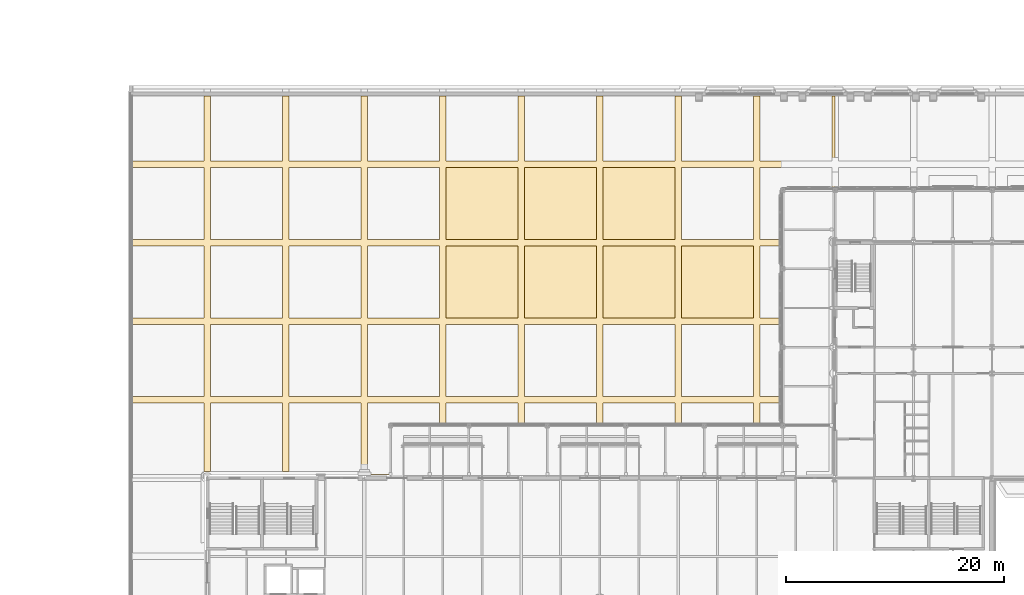
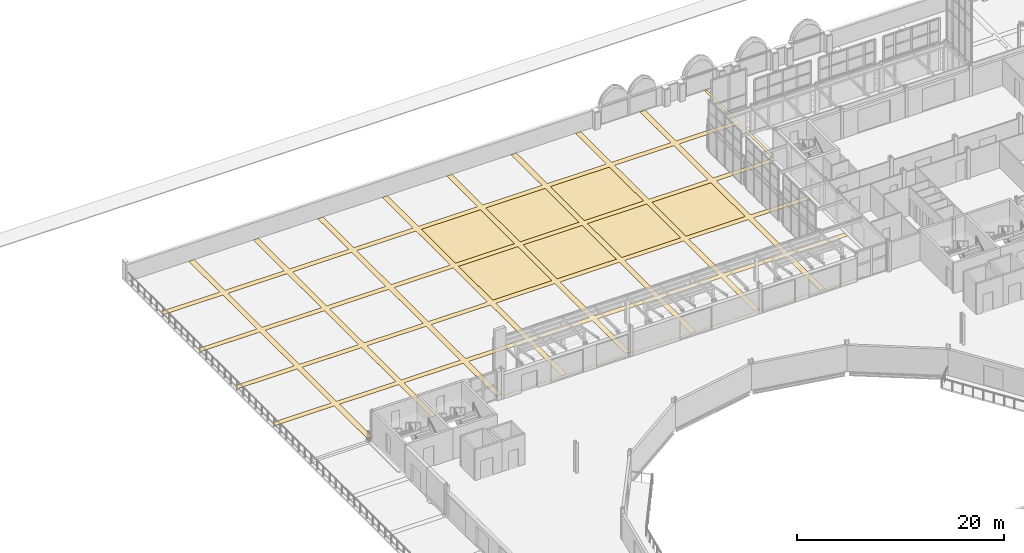
# One storey, part 115 of 143: 8 coverings.
"""IFC4 building model written with IfcOpenShell, lengths in metres."""

from ifc_helpers import new_model, si_unit, direction, frame, origin, place, context, subcontext, project, spatial, polyline, outline, extrude, material, layer, layer_set, type_object, element, save


model = new_model("IFC4")

# Units and contexts
model_context = context("Model", 3, precision=1e-05, world=origin(), true_north=direction((0.0, 1.0)))
body_context = subcontext(model_context, "Body", "Model", "MODEL_VIEW")
ifc_project = project(units=[si_unit("LENGTHUNIT", "METRE"), si_unit("AREAUNIT", "SQUARE_METRE"), si_unit("VOLUMEUNIT", "CUBIC_METRE"), si_unit("PLANEANGLEUNIT", "RADIAN"), si_unit("MASSUNIT", "GRAM", prefix="KILO")], contexts=[model_context])

# Site, building, storey
site_placement = place(None, origin())
site = spatial("IfcSite", under=ifc_project, at=site_placement, CompositionType="ELEMENT")
building_placement = place(site_placement, origin())
building = spatial("IfcBuilding", under=site, at=building_placement, Name="Kupolbacken Congress Centre", CompositionType="ELEMENT")
storey_placement = place(building_placement, frame((0.0, 0.0, 7.199951171875)))
storey = spatial("IfcBuildingStorey", under=building, at=storey_placement, Name="L02", CompositionType="ELEMENT", Elevation=7.199951171875)

# Coverings
ifc_material_1 = material(Name="Limestone cladding", Category="masonry")
ifc_layer_1 = layer(ifc_material_1, 0.02001953125)
ifc_layer_set_1 = layer_set([ifc_layer_1], Name="Limestone cladding")
covering_type_1 = type_object("IfcCoveringType", Name="GF1 limestone paving 20", PredefinedType="FLOORING", material=ifc_layer_set_1)
covering_1_placement = place(storey_placement, origin())
element("IfcCovering", 1, at=covering_1_placement, inside=storey, type_object=covering_type_1, Name="Forecourt limestone paving", PredefinedType="FLOORING", context=body_context, shape_type="SweptSolid", body=[
    extrude(outline(polyline([(29.10009765625, 144.300048828125), (29.10009765625, 150.89990234375), (35.699951171875, 150.89990234375), (35.699951171875, 144.300048828125), (29.10009765625, 144.300048828125)])), origin(), (0.0, 0.0, 1.0), 0.02001953125),
])
covering_2_placement = place(storey_placement, origin())
element("IfcCovering", 2, at=covering_2_placement, inside=storey, type_object=covering_type_1, Name="Forecourt limestone paving", PredefinedType="FLOORING", context=body_context, shape_type="SweptSolid", body=[
    extrude(outline(polyline([(29.10009765625, 137.10009765625), (29.10009765625, 143.699951171875), (35.699951171875, 143.699951171875), (35.699951171875, 137.10009765625), (29.10009765625, 137.10009765625)])), origin(), (0.0, 0.0, 1.0), 0.02001953125),
])
covering_3_placement = place(storey_placement, origin())
element("IfcCovering", 3, at=covering_3_placement, inside=storey, type_object=covering_type_1, Name="Forecourt limestone paving", PredefinedType="FLOORING", context=body_context, shape_type="SweptSolid", body=[
    extrude(outline(polyline([(42.89990234375, 137.10009765625), (36.300048828125, 137.10009765625), (36.300048828125, 143.699951171875), (42.89990234375, 143.699951171875), (42.89990234375, 137.10009765625)])), origin(), (0.0, 0.0, 1.0), 0.02001953125),
])
covering_4_placement = place(storey_placement, origin())
element("IfcCovering", 4, at=covering_4_placement, inside=storey, type_object=covering_type_1, Name="Forecourt limestone paving", PredefinedType="FLOORING", context=body_context, shape_type="SweptSolid", body=[
    extrude(outline(polyline([(50.10009765625, 137.10009765625), (43.5, 137.10009765625), (43.5, 143.699951171875), (50.10009765625, 143.699951171875), (50.10009765625, 137.10009765625)])), origin(), (0.0, 0.0, 1.0), 0.02001953125),
])
covering_5_placement = place(storey_placement, origin())
element("IfcCovering", 5, at=covering_5_placement, inside=storey, type_object=covering_type_1, Name="Forecourt limestone paving", PredefinedType="FLOORING", context=body_context, shape_type="SweptSolid", body=[
    extrude(outline(polyline([(57.300048828125, 137.10009765625), (50.699951171875, 137.10009765625), (50.699951171875, 143.699951171875), (57.300048828125, 143.699951171875), (57.300048828125, 137.10009765625)])), origin(), (0.0, 0.0, 1.0), 0.02001953125),
])
covering_6_placement = place(storey_placement, origin())
element("IfcCovering", 6, at=covering_6_placement, inside=storey, type_object=covering_type_1, Name="Forecourt limestone paving", PredefinedType="FLOORING", context=body_context, shape_type="SweptSolid", body=[
    extrude(outline(polyline([(42.89990234375, 144.300048828125), (36.300048828125, 144.300048828125), (36.300048828125, 150.89990234375), (42.89990234375, 150.89990234375), (42.89990234375, 144.300048828125)])), origin(), (0.0, 0.0, 1.0), 0.02001953125),
])
covering_7_placement = place(storey_placement, origin())
element("IfcCovering", 7, at=covering_7_placement, inside=storey, type_object=covering_type_1, Name="Forecourt limestone paving", PredefinedType="FLOORING", context=body_context, shape_type="SweptSolid", body=[
    extrude(outline(polyline([(50.10009765625, 144.300048828125), (43.5, 144.300048828125), (43.5, 150.89990234375), (50.10009765625, 150.89990234375), (50.10009765625, 144.300048828125)])), origin(), (0.0, 0.0, 1.0), 0.02001953125),
])
ifc_material_2 = material(Name="Brick", Category="masonry")
ifc_layer_2 = layer(ifc_material_2, 0.02001953125)
ifc_layer_set_2 = layer_set([ifc_layer_2], Name="Brick")
covering_type_2 = type_object("IfcCoveringType", Name="GF2 brick paving 20", PredefinedType="FLOORING", material=ifc_layer_set_2)
covering_8_placement = place(storey_placement, origin())
element("IfcCovering", 8, at=covering_8_placement, inside=storey, type_object=covering_type_2, Name="Forecourt paving band", PredefinedType="FLOORING", context=body_context, shape_type="SweptSolid", body=[
    extrude(outline(polyline([(6.89990234375, 151.5), (6.89990234375, 157.469970703125), (7.5, 157.469970703125), (7.5, 151.5), (14.10009765625, 151.5), (14.10009765625, 157.469970703125), (14.699951171875, 157.469970703125), (14.699951171875, 151.5), (21.300048828125, 151.5), (21.300048828125, 157.469970703125), (21.89990234375, 157.469970703125), (21.89990234375, 151.5), (28.5, 151.5), (28.5, 157.469970703125), (29.10009765625, 157.469970703125), (29.10009765625, 151.5), (35.699951171875, 151.5), (35.699951171875, 157.469970703125), (36.300048828125, 157.469970703125), (36.300048828125, 151.5), (42.89990234375, 151.5), (42.89990234375, 157.469970703125), (43.5, 157.469970703125), (43.5, 151.5), (50.10009765625, 151.5), (50.10009765625, 157.469970703125), (50.699951171875, 157.469970703125), (50.699951171875, 151.5), (57.300048828125, 151.5), (57.300048828125, 157.469970703125), (57.89990234375, 157.469970703125), (57.89990234375, 151.5), (64.5, 151.5), (64.5, 157.469970703125), (64.798095703125, 157.469970703125), (64.798095703125, 144.574951171875), (64.52490234375, 144.574951171875), (64.5, 144.57373046875), (64.5, 150.89990234375), (57.89990234375, 150.89990234375), (57.89990234375, 144.300048828125), (64.226318359375, 144.300048828125), (64.22509765625, 144.27490234375), (64.22509765625, 143.699951171875), (57.89990234375, 143.699951171875), (57.89990234375, 137.10009765625), (64.22509765625, 137.10009765625), (64.22509765625, 136.5), (57.89990234375, 136.5), (57.89990234375, 129.89990234375), (64.22509765625, 129.89990234375), (64.22509765625, 129.300048828125), (57.89990234375, 129.300048828125), (57.89990234375, 122.699951171875), (62.185302734375, 122.699951171875), (62.186279296875, 122.677001953125), (50.79150390625, 122.677001953125), (50.7744140625, 122.699951171875), (57.300048828125, 122.699951171875), (57.300048828125, 129.300048828125), (50.699951171875, 129.300048828125), (50.699951171875, 122.7744140625), (50.666748046875, 122.799072265625), (50.626220703125, 122.823486328125), (50.583740234375, 122.843505859375), (50.539306640625, 122.859375), (50.49365234375, 122.870849609375), (50.447021484375, 122.877685546875), (50.39990234375, 122.8798828125), (50.352783203125, 122.877685546875), (50.306396484375, 122.870849609375), (50.2607421875, 122.859375), (50.21630859375, 122.843505859375), (50.173583984375, 122.823486328125), (50.13330078125, 122.799072265625), (50.10009765625, 122.7744140625), (50.10009765625, 129.300048828125), (43.5, 129.300048828125), (43.5, 122.699951171875), (50.025634765625, 122.699951171875), (50.008544921875, 122.677001953125), (36.3916015625, 122.677001953125), (36.37451171875, 122.699951171875), (42.89990234375, 122.699951171875), (42.89990234375, 129.300048828125), (36.300048828125, 129.300048828125), (36.300048828125, 122.7744140625), (36.2666015625, 122.799072265625), (36.226318359375, 122.823486328125), (36.18359375, 122.843505859375), (36.139404296875, 122.859375), (36.09375, 122.870849609375), (36.047119140625, 122.877685546875), (36.0, 122.8798828125), (35.952880859375, 122.877685546875), (35.90625, 122.870849609375), (35.860595703125, 122.859375), (35.81640625, 122.843505859375), (35.773681640625, 122.823486328125), (35.7333984375, 122.799072265625), (35.699951171875, 122.7744140625), (35.699951171875, 129.300048828125), (29.10009765625, 129.300048828125), (29.10009765625, 122.699951171875), (35.62548828125, 122.699951171875), (35.6083984375, 122.677001953125), (21.991455078125, 122.677001953125), (21.974365234375, 122.699951171875), (28.5, 122.699951171875), (28.5, 129.300048828125), (21.89990234375, 129.300048828125), (21.89990234375, 122.7744140625), (21.86669921875, 122.799072265625), (21.826416015625, 122.823486328125), (21.834716796875, 122.818115234375), (21.853759765625, 122.9462890625), (21.861083984375, 122.97509765625), (21.300048828125, 122.97509765625), (21.300048828125, 129.300048828125), (14.699951171875, 129.300048828125), (14.699951171875, 122.97509765625), (14.10009765625, 122.97509765625), (14.10009765625, 129.300048828125), (7.5, 129.300048828125), (7.5, 122.97509765625), (6.925048828125, 122.97509765625), (6.89990234375, 122.973876953125), (6.89990234375, 129.300048828125), (0.301025390625, 129.300048828125), (0.301025390625, 129.89990234375), (6.89990234375, 129.89990234375), (6.89990234375, 136.5), (0.301025390625, 136.5), (0.301025390625, 137.10009765625), (6.89990234375, 137.10009765625), (6.89990234375, 143.699951171875), (0.301025390625, 143.699951171875), (0.301025390625, 144.300048828125), (6.89990234375, 144.300048828125), (6.89990234375, 150.89990234375), (0.301025390625, 150.89990234375), (0.301025390625, 151.5), (6.89990234375, 151.5)]), holes=[polyline([(14.10009765625, 144.300048828125), (14.10009765625, 150.89990234375), (7.5, 150.89990234375), (7.5, 144.300048828125), (14.10009765625, 144.300048828125)]), polyline([(14.10009765625, 137.10009765625), (14.10009765625, 143.699951171875), (7.5, 143.699951171875), (7.5, 137.10009765625), (14.10009765625, 137.10009765625)]), polyline([(21.300048828125, 144.300048828125), (21.300048828125, 150.89990234375), (14.699951171875, 150.89990234375), (14.699951171875, 144.300048828125), (21.300048828125, 144.300048828125)]), polyline([(21.300048828125, 137.10009765625), (21.300048828125, 143.699951171875), (14.699951171875, 143.699951171875), (14.699951171875, 137.10009765625), (21.300048828125, 137.10009765625)]), polyline([(28.5, 144.300048828125), (28.5, 150.89990234375), (21.89990234375, 150.89990234375), (21.89990234375, 144.300048828125), (28.5, 144.300048828125)]), polyline([(28.5, 137.10009765625), (28.5, 143.699951171875), (21.89990234375, 143.699951171875), (21.89990234375, 137.10009765625), (28.5, 137.10009765625)]), polyline([(35.699951171875, 144.300048828125), (35.699951171875, 150.89990234375), (29.10009765625, 150.89990234375), (29.10009765625, 144.300048828125), (35.699951171875, 144.300048828125)]), polyline([(35.699951171875, 137.10009765625), (35.699951171875, 143.699951171875), (29.10009765625, 143.699951171875), (29.10009765625, 137.10009765625), (35.699951171875, 137.10009765625)]), polyline([(42.89990234375, 143.699951171875), (36.300048828125, 143.699951171875), (36.300048828125, 137.10009765625), (42.89990234375, 137.10009765625), (42.89990234375, 143.699951171875)]), polyline([(50.10009765625, 143.699951171875), (43.5, 143.699951171875), (43.5, 137.10009765625), (50.10009765625, 137.10009765625), (50.10009765625, 143.699951171875)]), polyline([(57.300048828125, 143.699951171875), (50.699951171875, 143.699951171875), (50.699951171875, 137.10009765625), (57.300048828125, 137.10009765625), (57.300048828125, 143.699951171875)]), polyline([(50.699951171875, 129.89990234375), (57.300048828125, 129.89990234375), (57.300048828125, 136.5), (50.699951171875, 136.5), (50.699951171875, 129.89990234375)]), polyline([(43.5, 129.89990234375), (50.10009765625, 129.89990234375), (50.10009765625, 136.5), (43.5, 136.5), (43.5, 129.89990234375)]), polyline([(36.300048828125, 129.89990234375), (42.89990234375, 129.89990234375), (42.89990234375, 136.5), (36.300048828125, 136.5), (36.300048828125, 129.89990234375)]), polyline([(29.10009765625, 129.89990234375), (35.699951171875, 129.89990234375), (35.699951171875, 136.5), (29.10009765625, 136.5), (29.10009765625, 129.89990234375)]), polyline([(28.5, 129.89990234375), (28.5, 136.5), (21.89990234375, 136.5), (21.89990234375, 129.89990234375), (28.5, 129.89990234375)]), polyline([(21.300048828125, 129.89990234375), (21.300048828125, 136.5), (14.699951171875, 136.5), (14.699951171875, 129.89990234375), (21.300048828125, 129.89990234375)]), polyline([(14.10009765625, 129.89990234375), (14.10009765625, 136.5), (7.5, 136.5), (7.5, 129.89990234375), (14.10009765625, 129.89990234375)]), polyline([(42.89990234375, 150.89990234375), (36.300048828125, 150.89990234375), (36.300048828125, 144.300048828125), (42.89990234375, 144.300048828125), (42.89990234375, 150.89990234375)]), polyline([(50.10009765625, 150.89990234375), (43.5, 150.89990234375), (43.5, 144.300048828125), (50.10009765625, 144.300048828125), (50.10009765625, 150.89990234375)]), polyline([(57.300048828125, 150.89990234375), (50.699951171875, 150.89990234375), (50.699951171875, 144.300048828125), (57.300048828125, 144.300048828125), (57.300048828125, 150.89990234375)])]), origin(), (0.0, 0.0, 1.0), 0.02001953125),
])

save(model, "model.ifc")
